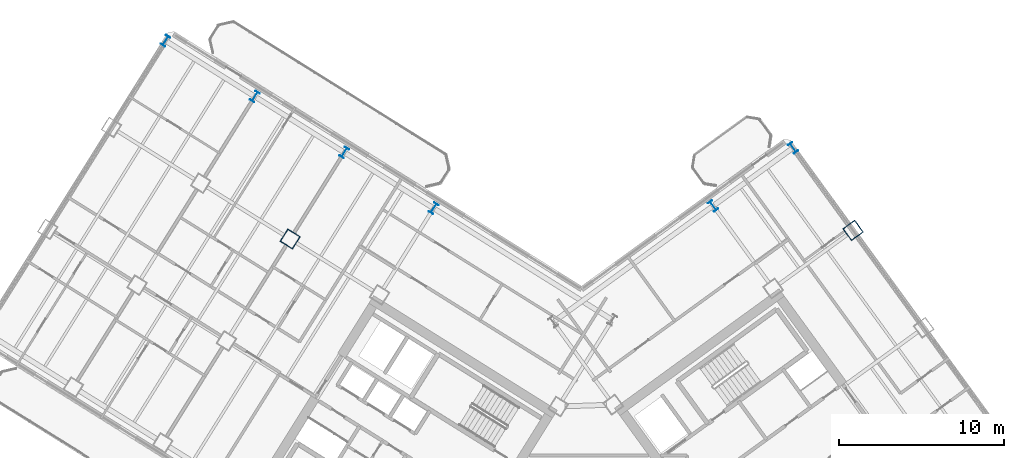
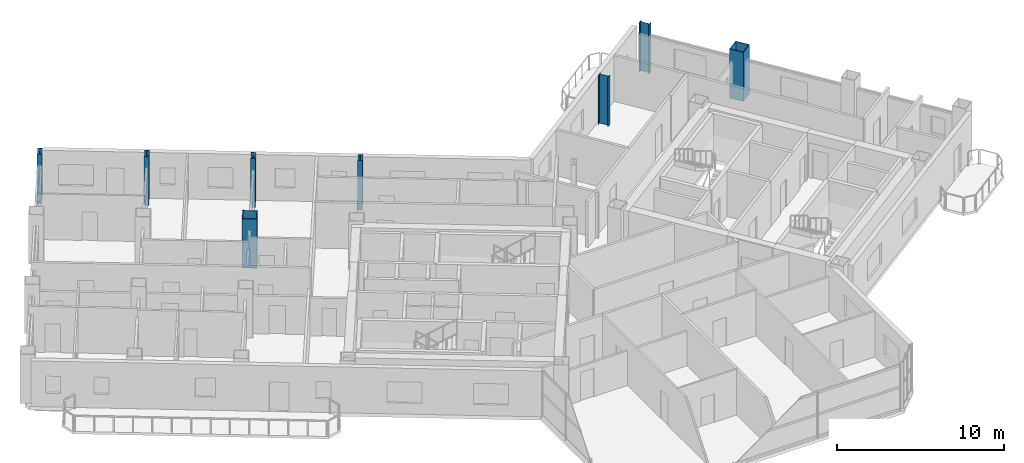
# One storey, part 3 of 21: 8 columns.
"""IFC4 building model written with IfcOpenShell, lengths in metres."""

from ifc_helpers import new_model, si_unit, direction, frame, origin, origin_2d, place, context, subcontext, project, spatial, hollow_rectangle, i_section, extrude, source, transform, mapped, material, material_profile, profile_set, type_object, element, save


model = new_model("IFC4")

# Units and contexts
model_context = context("Model", 3, precision=1e-05, world=origin(), true_north=direction((0.0, 1.0)))
body_context = subcontext(model_context, "Body", "Model", "MODEL_VIEW")
ifc_project = project(units=[si_unit("LENGTHUNIT", "METRE"), si_unit("AREAUNIT", "SQUARE_METRE"), si_unit("VOLUMEUNIT", "CUBIC_METRE"), si_unit("PLANEANGLEUNIT", "RADIAN"), si_unit("MASSUNIT", "GRAM", prefix="KILO")], contexts=[model_context])

# Site, building, storey
site_placement = place(None, origin())
site = spatial("IfcSite", under=ifc_project, at=site_placement, CompositionType="ELEMENT")
building_placement = place(site_placement, origin())
building = spatial("IfcBuilding", under=site, at=building_placement, Name="Tlacorven Tower", CompositionType="ELEMENT")
storey_placement = place(building_placement, frame((0.0, 0.0, 112.5)))
storey = spatial("IfcBuildingStorey", under=building, at=storey_placement, Name="L28", CompositionType="ELEMENT", Elevation=112.5)

# Columns
ifc_material = material(Name="Steel S460M", Category="steel")
ifc_material_profile_1 = material_profile(ifc_material, i_section(OverallWidth=0.300048828125, OverallDepth=0.64990234375, WebThickness=0.01611328125, FlangeThickness=0.031005859375, at=origin_2d()), Name="HEB 650")
ifc_profile_set_1 = profile_set([ifc_material_profile_1], Name="Steel S460M")
column_type_1 = type_object("IfcColumnType", Name="COL-TWR-P1", PredefinedType="COLUMN", material=ifc_profile_set_1)
shared_shape_1 = source(origin(), body_context, "Body", "SweptSolid", [
    extrude(i_section(OverallWidth=0.300048828125, OverallDepth=0.64990234375, WebThickness=0.01611328125, FlangeThickness=0.031005859375, at=origin_2d()), origin(), (0.0, 0.0, 1.0), 3.60009765625),
])
for number, where, z_axis, x_axis, name in (
    (1, (33.21337890625, 36.50927734375, 0.0), (0.0, 0.0, 1.0), (-0.848048096156, 0.529919264233, 0.0), "L28 column COL-L28-W3-1"),
    (2, (27.785888671875, 39.900634765625, 0.0), (0.0, 0.0, 1.0), (-0.848048096156, 0.529919264233, 0.0), "L28 column COL-L28-W4-1"),
    (3, (22.3583984375, 43.292236328125, 0.0), (0.0, 0.0, 1.0), (-0.848048096156, 0.529919264233, 0.0), "L28 column COL-L28-W5-1"),
    (4, (16.930908203125, 46.68359375, 0.0), (0.0, 0.0, 1.0), (-0.848048096156, 0.529919264233, 0.0), "L28 column COL-L28-W6-1"),
    (5, (50.187744140625, 36.654296875, 0.0), (0.0, 0.0, 1.0), (0.809016994375, 0.587785252292, 0.0), "L28 column COL-L28-E3-4"),
    (6, (55.041748046875, 40.18115234375, 0.0), (0.0, 0.0, 1.0), (0.809016994375, 0.587785252292, 0.0), "L28 column COL-L28-E4-4"),
):
    element("IfcColumn", number, at=place(storey_placement, frame(where, z_axis=z_axis, x_axis=x_axis)), inside=storey, type_object=column_type_1, Name=name, PredefinedType="COLUMN", context=body_context, shape_type="MappedRepresentation", body=[
        mapped(shared_shape_1, transform((0.0, 0.0, 0.0), scale=1.0)),
    ])
ifc_material_profile_2 = material_profile(ifc_material, hollow_rectangle(XDim=0.89990234375, YDim=0.89990234375, WallThickness=0.035888671875, at=origin_2d()), Name="BOX 900X900X36")
ifc_profile_set_2 = profile_set([ifc_material_profile_2], Name="Steel S460M")
column_type_2 = type_object("IfcColumnType", Name="COL-TWR-S2", PredefinedType="COLUMN", material=ifc_profile_set_2)
shared_shape_2 = source(origin(), body_context, "Body", "SweptSolid", [
    extrude(hollow_rectangle(XDim=0.89990234375, YDim=0.89990234375, WallThickness=0.035888671875, at=origin_2d()), origin(), (0.0, 0.0, 1.0), 3.60009765625),
])
for number, where, z_axis, x_axis, name in (
    (7, (24.50048828125, 34.642822265625, 0.0), (0.0, 0.0, 1.0), (-0.848048096156, 0.529919264233, 0.0), "L28 column COL-L28-W4-2"),
    (8, (58.68603515625, 35.165283203125, 0.0), (0.0, 0.0, 1.0), (0.809016994375, 0.587785252292, 0.0), "L28 column COL-L28-E4-3"),
):
    element("IfcColumn", number, at=place(storey_placement, frame(where, z_axis=z_axis, x_axis=x_axis)), inside=storey, type_object=column_type_2, Name=name, PredefinedType="COLUMN", context=body_context, shape_type="MappedRepresentation", body=[
        mapped(shared_shape_2, transform((0.0, 0.0, 0.0), scale=1.0)),
    ])

save(model, "model.ifc")
